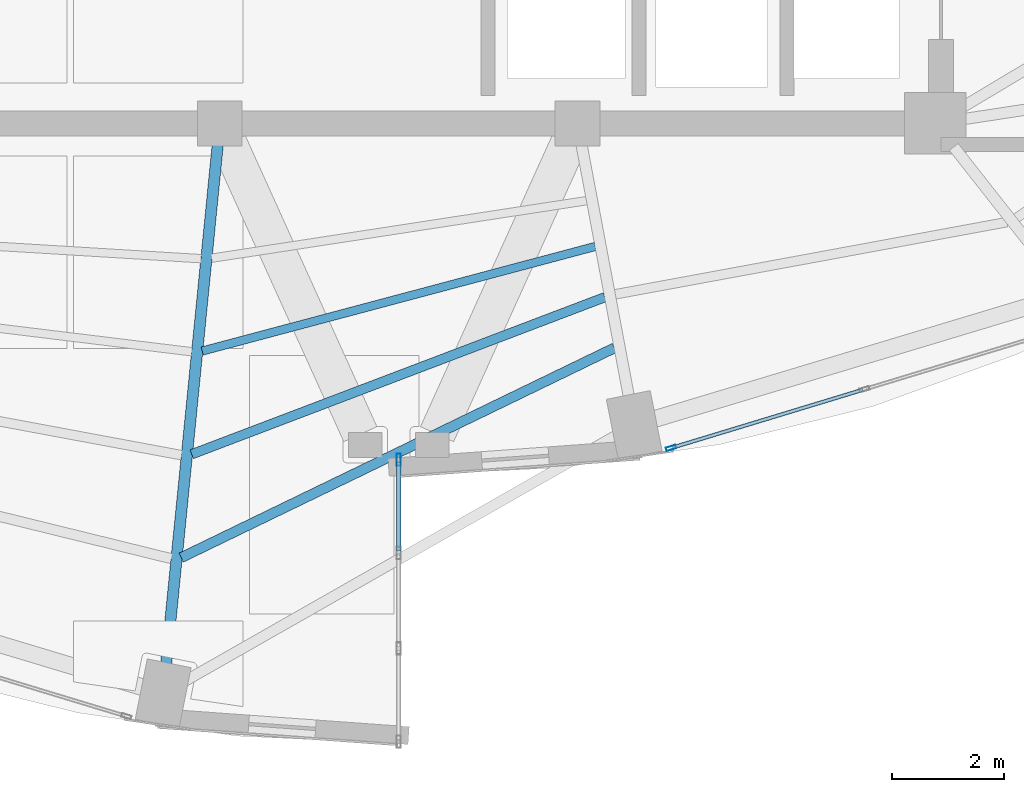
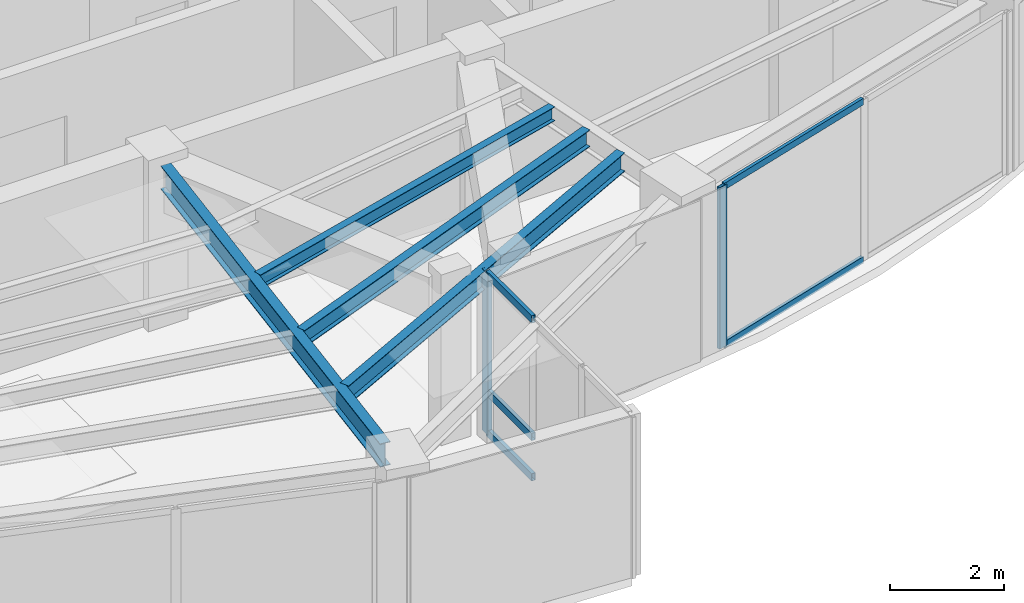
# One storey, part 6 of 22: 7 members, 4 beams, 2 elements without a shape of their own.
"""IFC4 building model written with IfcOpenShell, lengths in metres."""

from ifc_helpers import new_model, si_unit, direction, frame, origin, origin_2d, place, context, subcontext, project, spatial, hollow_rectangle, i_section, extrude, material, layer, layer_set, material_profile, profile_set, type_object, element, aggregate, save


model = new_model("IFC4")

# Units and contexts
model_context = context("Model", 3, precision=1e-05, world=origin(), true_north=direction((0.0, 1.0)))
body_context = subcontext(model_context, "Body", "Model", "MODEL_VIEW")
ifc_project = project(units=[si_unit("LENGTHUNIT", "METRE"), si_unit("AREAUNIT", "SQUARE_METRE"), si_unit("VOLUMEUNIT", "CUBIC_METRE"), si_unit("PLANEANGLEUNIT", "RADIAN"), si_unit("MASSUNIT", "GRAM", prefix="KILO")], contexts=[model_context])

# Site, building, storey
site_placement = place(None, origin())
site = spatial("IfcSite", under=ifc_project, at=site_placement, CompositionType="ELEMENT")
building_placement = place(site_placement, origin())
building = spatial("IfcBuilding", under=site, at=building_placement, Name="Lazwardi Medical Tower", CompositionType="ELEMENT")
storey_placement = place(building_placement, frame((0.0, 0.0, 255.02392578125)))
storey = spatial("IfcBuildingStorey", under=building, at=storey_placement, Name="L66", CompositionType="ELEMENT", Elevation=255.02392578125)

# Beams
ifc_material_1 = material(Name="Steel S355", Category="steel")
ifc_material_profile_1 = material_profile(ifc_material_1, i_section(OverallWidth=0.199951171875, OverallDepth=0.5, WebThickness=0.01025390625, FlangeThickness=0.01611328125, at=origin_2d()), Name="IPE 500")
ifc_profile_set_1 = profile_set([ifc_material_profile_1], Name="Steel S355")
beam_type_1 = type_object("IfcBeamType", Name="BM-RG-W3", PredefinedType="BEAM", material=ifc_profile_set_1)
beam_1_placement = place(storey_placement, frame((31.8388671875, 10.734130859375, 3.197998046875), z_axis=(0.098954361922, 0.995091972763, 0.0), x_axis=(-0.995091972763, 0.098954361922, 0.0)))
element("IfcBeam", 1, at=beam_1_placement, inside=storey, type_object=beam_type_1, Name="Radial girder RG-04 R16 L66", PredefinedType="BEAM", context=body_context, shape_type="SweptSolid", body=[
    extrude(i_section(OverallWidth=0.199951171875, OverallDepth=0.5, WebThickness=0.01025390625, FlangeThickness=0.01611328125, at=origin_2d()), origin(), (0.0, 0.0, 1.0), 9.32861328125),
])
ifc_material_profile_2 = material_profile(ifc_material_1, i_section(OverallWidth=0.179931640625, OverallDepth=0.39990234375, WebThickness=0.008544921875, FlangeThickness=0.013427734375, at=origin_2d()), Name="IPE 400")
ifc_profile_set_2 = profile_set([ifc_material_profile_2], Name="Steel S355")
beam_type_2 = type_object("IfcBeamType", Name="BM-SJ-01", PredefinedType="JOIST", material=ifc_profile_set_2)
beam_2_placement = place(storey_placement, frame((32.10888671875, 12.632080078125, 3.248046875), z_axis=(0.900068885459, 0.435747635024, 0.0), x_axis=(-0.435747635024, 0.900068885459, 0.0)))
element("IfcBeam", 2, at=beam_2_placement, inside=storey, type_object=beam_type_2, Name="Secondary joist SJ-01 R1 B16 L66", PredefinedType="JOIST", context=body_context, shape_type="SweptSolid", body=[
    extrude(i_section(OverallWidth=0.179931640625, OverallDepth=0.39990234375, WebThickness=0.008544921875, FlangeThickness=0.013427734375, at=origin_2d()), origin(), (0.0, 0.0, 1.0), 8.612548828125),
])
ifc_material_profile_3 = material_profile(ifc_material_1, i_section(OverallWidth=0.169921875, OverallDepth=0.360107421875, WebThickness=0.008056640625, FlangeThickness=0.0126953125, at=origin_2d()), Name="IPE 360")
ifc_profile_set_3 = profile_set([ifc_material_profile_3], Name="Steel S355")
beam_type_3 = type_object("IfcBeamType", Name="BM-SJ-02", PredefinedType="JOIST", material=ifc_profile_set_3)
beam_3_placement = place(storey_placement, frame((32.296875, 14.48095703125, 3.26806640625), z_axis=(0.934714470268, 0.355399576633, 0.0), x_axis=(-0.355399576633, 0.934714470268, 0.0)))
element("IfcBeam", 3, at=beam_3_placement, inside=storey, type_object=beam_type_3, Name="Secondary joist SJ-02 R2 B16 L66", PredefinedType="JOIST", context=body_context, shape_type="SweptSolid", body=[
    extrude(i_section(OverallWidth=0.169921875, OverallDepth=0.360107421875, WebThickness=0.008056640625, FlangeThickness=0.0126953125, at=origin_2d()), origin(), (0.0, 0.0, 1.0), 7.908203125),
])
ifc_material_profile_4 = material_profile(ifc_material_1, i_section(OverallWidth=0.14990234375, OverallDepth=0.300048828125, WebThickness=0.007080078125, FlangeThickness=0.0107421875, at=origin_2d()), Name="IPE 300")
ifc_profile_set_4 = profile_set([ifc_material_profile_4], Name="Steel S355")
beam_type_4 = type_object("IfcBeamType", Name="BM-SJ-03", PredefinedType="JOIST", material=ifc_profile_set_4)
beam_4_placement = place(storey_placement, frame((32.484619140625, 16.328125, 3.298095703125), z_axis=(0.966369007826, 0.257159368316, 0.0), x_axis=(-0.257159368316, 0.966369007826, 0.0)))
element("IfcBeam", 4, at=beam_4_placement, inside=storey, type_object=beam_type_4, Name="Secondary joist SJ-03 R3 B16 L66", PredefinedType="JOIST", context=body_context, shape_type="SweptSolid", body=[
    extrude(i_section(OverallWidth=0.14990234375, OverallDepth=0.300048828125, WebThickness=0.007080078125, FlangeThickness=0.0107421875, at=origin_2d()), origin(), (0.0, 0.0, 1.0), 7.27685546875),
])

# Curtain wall, member
ifc_material_2 = material(Name="Anodised bronze aluminium and solar control glazing", Category="aluminium")
ifc_layer_1 = layer(ifc_material_2, 0.2099609375)
ifc_layer_set_1 = layer_set([ifc_layer_1], Name="Anodised bronze aluminium and solar control glazing")
curtain_wall_type_1 = type_object("IfcCurtainWallType", Name="CW-SYS-06", PredefinedType="NOTDEFINED", material=ifc_layer_set_1)
curtain_wall_1_placement = place(storey_placement, origin())
curtain_wall_1 = element("IfcCurtainWall", 5, at=curtain_wall_1_placement, inside=storey, type_object=curtain_wall_type_1, Name="L66 Unitised bronze curtain wall CW-06", PredefinedType="NOTDEFINED")
ifc_material_3 = material(Name="Anodised bronze aluminium", Category="aluminium")
ifc_material_profile_5 = material_profile(ifc_material_3, hollow_rectangle(XDim=0.074951171875, YDim=0.219970703125, WallThickness=0.00390625, at=origin_2d()), Name="ALU-MULLION 220x75x4")
ifc_profile_set_5 = profile_set([ifc_material_profile_5], Name="Anodised bronze aluminium")
member_type_1 = type_object("IfcMemberType", Name="CW-MUL-01", PredefinedType="MULLION", material=ifc_profile_set_5)
member_1_placement = place(storey_placement, frame((36.0, 14.382568359375, 0.0), z_axis=(0.0, 0.0, 1.0), x_axis=(-1.0, 0.0, 0.0)))
member_1 = element("IfcMember", 6, at=member_1_placement, type_object=member_type_1, Name="CW-06 mullion 4", PredefinedType="MULLION", context=body_context, shape_type="SweptSolid", body=[
    extrude(hollow_rectangle(XDim=0.074951171875, YDim=0.219970703125, WallThickness=0.00390625, at=origin_2d()), origin(), (0.0, 0.0, 1.0), 3.447998046875),
])

ifc_layer_2 = layer(ifc_material_2, 0.18994140625)
ifc_layer_set_2 = layer_set([ifc_layer_2], Name="Anodised bronze aluminium and solar control glazing")
curtain_wall_type_2 = type_object("IfcCurtainWallType", Name="CW-SYS-04", PredefinedType="NOTDEFINED", material=ifc_layer_set_2)
curtain_wall_2_placement = place(storey_placement, origin())
curtain_wall_2 = element("IfcCurtainWall", 7, at=curtain_wall_2_placement, inside=storey, type_object=curtain_wall_type_2, Name="L66 Unitised bronze curtain wall CW-04", PredefinedType="NOTDEFINED")
ifc_material_profile_6 = material_profile(ifc_material_3, hollow_rectangle(XDim=0.06494140625, YDim=0.179931640625, WallThickness=0.00390625, at=origin_2d()), Name="ALU-MULLION 180x65x4")
ifc_profile_set_6 = profile_set([ifc_material_profile_6], Name="Anodised bronze aluminium")
member_type_2 = type_object("IfcMemberType", Name="CW-MUL-03", PredefinedType="MULLION", material=ifc_profile_set_6)
member_2_placement = place(storey_placement, frame((40.873046875, 14.593017578125, 0.0), z_axis=(0.0, 0.0, 1.0), x_axis=(-0.290581889515, 0.956850126972, 0.0)))
member_2 = element("IfcMember", 8, at=member_2_placement, type_object=member_type_2, Name="CW-04 mullion 1", PredefinedType="MULLION", context=body_context, shape_type="SweptSolid", body=[
    extrude(hollow_rectangle(XDim=0.06494140625, YDim=0.179931640625, WallThickness=0.00390625, at=origin_2d()), origin(), (0.0, 0.0, 1.0), 3.447998046875),
])

# Member
ifc_material_profile_7 = material_profile(ifc_material_3, hollow_rectangle(XDim=0.074951171875, YDim=0.159912109375, WallThickness=0.00390625, at=origin_2d()), Name="ALU-TRANSOM 160x75x4")
ifc_profile_set_7 = profile_set([ifc_material_profile_7], Name="Anodised bronze aluminium")
member_type_3 = type_object("IfcMemberType", Name="CW-TRN-01", PredefinedType="USERDEFINED", material=ifc_profile_set_7)
member_3_placement = place(storey_placement, frame((36.0, 12.750732421875, 0.03759765625), z_axis=(0.0, 1.0, 0.0), x_axis=(-1.0, 0.0, 0.0)))
member_3 = element("IfcMember", 9, at=member_3_placement, type_object=member_type_3, Name="CW-06 transom 3.1", ObjectType="TRANSOM", PredefinedType="USERDEFINED", context=body_context, shape_type="SweptSolid", body=[
    extrude(hollow_rectangle(XDim=0.074951171875, YDim=0.159912109375, WallThickness=0.00390625, at=origin_2d()), origin(), (0.0, 0.0, 1.0), 1.59423828125),
])

member_4_placement = place(storey_placement, frame((36.0, 12.750732421875, 0.900146484375), z_axis=(0.0, 1.0, 0.0), x_axis=(-1.0, 0.0, 0.0)))
member_4 = element("IfcMember", 10, at=member_4_placement, type_object=member_type_3, Name="CW-06 transom 3.2", ObjectType="TRANSOM", PredefinedType="USERDEFINED", context=body_context, shape_type="SweptSolid", body=[
    extrude(hollow_rectangle(XDim=0.074951171875, YDim=0.159912109375, WallThickness=0.00390625, at=origin_2d()), origin(), (0.0, 0.0, 1.0), 1.59423828125),
])

member_5_placement = place(storey_placement, frame((36.0, 12.750732421875, 3.41064453125), z_axis=(0.0, 1.0, 0.0), x_axis=(-1.0, 0.0, 0.0)))
member_5 = element("IfcMember", 11, at=member_5_placement, type_object=member_type_3, Name="CW-06 transom 3.3", ObjectType="TRANSOM", PredefinedType="USERDEFINED", context=body_context, shape_type="SweptSolid", body=[
    extrude(hollow_rectangle(XDim=0.074951171875, YDim=0.159912109375, WallThickness=0.00390625, at=origin_2d()), origin(), (0.0, 0.0, 1.0), 1.59423828125),
])

aggregate(curtain_wall_1, [member_1, member_3, member_4, member_5])

ifc_material_profile_8 = material_profile(ifc_material_3, hollow_rectangle(XDim=0.06494140625, YDim=0.139892578125, WallThickness=0.00341796875, at=origin_2d()), Name="ALU-TRANSOM 140x65x3.5")
ifc_profile_set_8 = profile_set([ifc_material_profile_8], Name="Anodised bronze aluminium")
member_type_4 = type_object("IfcMemberType", Name="CW-TRN-03", PredefinedType="USERDEFINED", material=ifc_profile_set_8)
member_6_placement = place(storey_placement, frame((40.904296875, 14.602294921875, 0.032470703125), z_axis=(0.956843409009, 0.290604010015, 0.0), x_axis=(-0.290604010015, 0.956843409009, 0.0)))
member_6 = element("IfcMember", 12, at=member_6_placement, type_object=member_type_4, Name="CW-04 transom 1.1", ObjectType="TRANSOM", PredefinedType="USERDEFINED", context=body_context, shape_type="SweptSolid", body=[
    extrude(hollow_rectangle(XDim=0.06494140625, YDim=0.139892578125, WallThickness=0.00341796875, at=origin_2d()), origin(), (0.0, 0.0, 1.0), 3.554443359375),
])

member_7_placement = place(storey_placement, frame((40.904296875, 14.602294921875, 3.41552734375), z_axis=(0.956843409009, 0.290604010015, 0.0), x_axis=(-0.290604010015, 0.956843409009, 0.0)))
member_7 = element("IfcMember", 13, at=member_7_placement, type_object=member_type_4, Name="CW-04 transom 1.2", ObjectType="TRANSOM", PredefinedType="USERDEFINED", context=body_context, shape_type="SweptSolid", body=[
    extrude(hollow_rectangle(XDim=0.06494140625, YDim=0.139892578125, WallThickness=0.00341796875, at=origin_2d()), origin(), (0.0, 0.0, 1.0), 3.554443359375),
])

aggregate(curtain_wall_2, [member_2, member_6, member_7])

save(model, "model.ifc")
